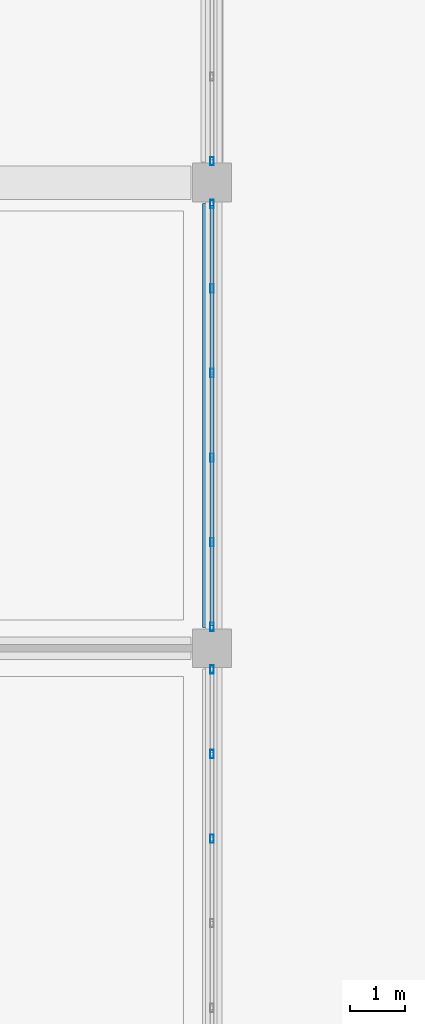
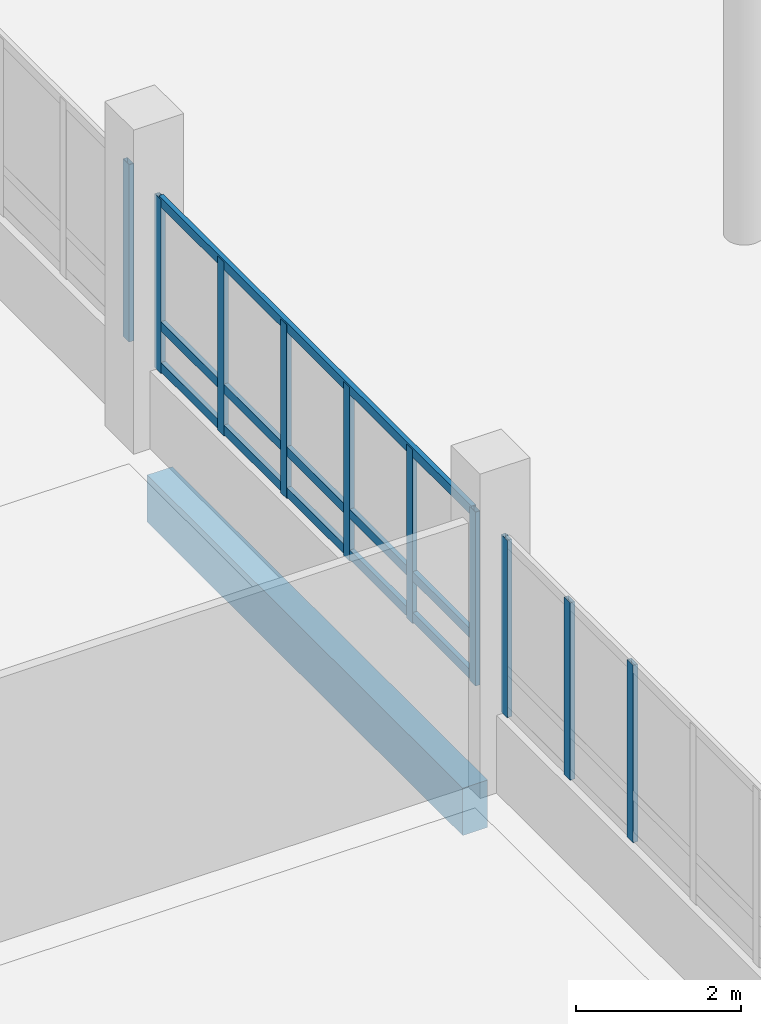
# One storey, part 31 of 95: 13 members, 1 beam, 3 elements without a shape of their own.
"""IFC4 building model written with IfcOpenShell, lengths in metres."""

from ifc_helpers import new_model, si_unit, direction, frame, origin, origin_2d, place, context, subcontext, project, spatial, rectangle, hollow_rectangle, extrude, material, layer, layer_set, material_profile, profile_set, type_object, element, aggregate, save


model = new_model("IFC4")

# Units and contexts
model_context = context("Model", 3, precision=1e-05, world=origin(), true_north=direction((0.0, 1.0)))
body_context = subcontext(model_context, "Body", "Model", "MODEL_VIEW")
ifc_project = project(units=[si_unit("LENGTHUNIT", "METRE"), si_unit("AREAUNIT", "SQUARE_METRE"), si_unit("VOLUMEUNIT", "CUBIC_METRE"), si_unit("PLANEANGLEUNIT", "RADIAN"), si_unit("MASSUNIT", "GRAM", prefix="KILO")], contexts=[model_context])

# Site, building, storey
site_placement = place(None, origin())
site = spatial("IfcSite", under=ifc_project, at=site_placement, CompositionType="ELEMENT")
building_placement = place(site_placement, origin())
building = spatial("IfcBuilding", under=site, at=building_placement, Name="Vireocrest Preparatory School", CompositionType="ELEMENT")
storey_placement = place(building_placement, origin())
storey = spatial("IfcBuildingStorey", under=building, at=storey_placement, Name="L00", CompositionType="ELEMENT", Elevation=0.0)

# Curtain wall, members
ifc_material_1 = material(Name="Thermally broken aluminium EN AW-6063-T6", Category="aluminium")
ifc_layer = layer(ifc_material_1, 0.179931640625)
ifc_layer_set = layer_set([ifc_layer], Name="Thermally broken aluminium EN AW-6063-T6")
curtain_wall_type = type_object("IfcCurtainWallType", Name="Court Banded Curtain Wall 8400x3600", PredefinedType="USERDEFINED", material=ifc_layer_set)
curtain_wall_1_placement = place(storey_placement, origin())
curtain_wall_1 = element("IfcCurtainWall", 1, at=curtain_wall_1_placement, inside=storey, type_object=curtain_wall_type, Name="Curtain Wall CW01 CW_L00_CW01_0672_0273_012", ObjectType="CURTAIN WALL", PredefinedType="USERDEFINED")
ifc_material_profile_1 = material_profile(ifc_material_1, hollow_rectangle(XDim=0.06494140625, YDim=0.14990234375, WallThickness=0.00390625, at=origin_2d()), Name="ALU 65x150x4")
ifc_profile_set_1 = profile_set([ifc_material_profile_1], Name="Thermally broken aluminium EN AW-6063-T6")
member_type_1 = type_object("IfcMemberType", Name="CW Mullion 65x150x4", PredefinedType="MULLION", material=ifc_profile_set_1)
member_1_placement = place(storey_placement, frame((67.199951171875, 31.962890625, 1.14990234375), z_axis=(0.0, 0.0, 1.0), x_axis=(1.0, 0.0, 0.0)))
member_1 = element("IfcMember", 2, at=member_1_placement, type_object=member_type_1, Name="CW Mullion ML1 CW_L00_CW01_0672_0273_012-4", PredefinedType="MULLION", context=body_context, shape_type="SweptSolid", body=[
    extrude(hollow_rectangle(XDim=0.06494140625, YDim=0.14990234375, WallThickness=0.00390625, at=origin_2d()), origin(), (0.0, 0.0, 1.0), 2.625),
])
member_2_placement = place(storey_placement, frame((67.199951171875, 33.489013671875, 1.14990234375), z_axis=(0.0, 0.0, 1.0), x_axis=(1.0, 0.0, 0.0)))
member_2 = element("IfcMember", 3, at=member_2_placement, type_object=member_type_1, Name="CW Mullion ML1 CW_L00_CW01_0672_0273_012-5", PredefinedType="MULLION", context=body_context, shape_type="SweptSolid", body=[
    extrude(hollow_rectangle(XDim=0.06494140625, YDim=0.14990234375, WallThickness=0.00390625, at=origin_2d()), origin(), (0.0, 0.0, 1.0), 2.625),
])
member_3_placement = place(storey_placement, frame((67.199951171875, 35.014892578125, 1.14990234375), z_axis=(0.0, 0.0, 1.0), x_axis=(1.0, 0.0, 0.0)))
member_3 = element("IfcMember", 4, at=member_3_placement, type_object=member_type_1, Name="CW Mullion ML1 CW_L00_CW01_0672_0273_012-6", PredefinedType="MULLION", context=body_context, shape_type="SweptSolid", body=[
    extrude(hollow_rectangle(XDim=0.06494140625, YDim=0.14990234375, WallThickness=0.00390625, at=origin_2d()), origin(), (0.0, 0.0, 1.0), 2.625),
])
aggregate(curtain_wall_1, [member_1, member_2, member_3])

curtain_wall_2_placement = place(storey_placement, origin())
curtain_wall_2 = element("IfcCurtainWall", 5, at=curtain_wall_2_placement, inside=storey, type_object=curtain_wall_type, Name="Curtain Wall CW01 CW_L00_CW01_0672_0357_012", ObjectType="CURTAIN WALL", PredefinedType="USERDEFINED")
member_4_placement = place(storey_placement, frame((67.199951171875, 35.784912109375, 1.14990234375), z_axis=(0.0, 0.0, 1.0), x_axis=(1.0, 0.0, 0.0)))
member_4 = element("IfcMember", 6, at=member_4_placement, type_object=member_type_1, Name="CW Mullion ML1 CW_L00_CW01_0672_0357_012-1", PredefinedType="MULLION", context=body_context, shape_type="SweptSolid", body=[
    extrude(hollow_rectangle(XDim=0.06494140625, YDim=0.14990234375, WallThickness=0.00390625, at=origin_2d()), origin(), (0.0, 0.0, 1.0), 2.5751953125),
])
member_5_placement = place(storey_placement, frame((67.199951171875, 37.31103515625, 1.14990234375), z_axis=(0.0, 0.0, 1.0), x_axis=(1.0, 0.0, 0.0)))
member_5 = element("IfcMember", 7, at=member_5_placement, type_object=member_type_1, Name="CW Mullion ML1 CW_L00_CW01_0672_0357_012-2", PredefinedType="MULLION", context=body_context, shape_type="SweptSolid", body=[
    extrude(hollow_rectangle(XDim=0.06494140625, YDim=0.14990234375, WallThickness=0.00390625, at=origin_2d()), origin(), (0.0, 0.0, 1.0), 2.5751953125),
])
member_6_placement = place(storey_placement, frame((67.199951171875, 38.8369140625, 1.14990234375), z_axis=(0.0, 0.0, 1.0), x_axis=(1.0, 0.0, 0.0)))
member_6 = element("IfcMember", 8, at=member_6_placement, type_object=member_type_1, Name="CW Mullion ML1 CW_L00_CW01_0672_0357_012-3", PredefinedType="MULLION", context=body_context, shape_type="SweptSolid", body=[
    extrude(hollow_rectangle(XDim=0.06494140625, YDim=0.14990234375, WallThickness=0.00390625, at=origin_2d()), origin(), (0.0, 0.0, 1.0), 2.5751953125),
])
member_7_placement = place(storey_placement, frame((67.199951171875, 40.363037109375, 1.14990234375), z_axis=(0.0, 0.0, 1.0), x_axis=(1.0, 0.0, 0.0)))
member_7 = element("IfcMember", 9, at=member_7_placement, type_object=member_type_1, Name="CW Mullion ML1 CW_L00_CW01_0672_0357_012-4", PredefinedType="MULLION", context=body_context, shape_type="SweptSolid", body=[
    extrude(hollow_rectangle(XDim=0.06494140625, YDim=0.14990234375, WallThickness=0.00390625, at=origin_2d()), origin(), (0.0, 0.0, 1.0), 2.5751953125),
])
member_8_placement = place(storey_placement, frame((67.199951171875, 41.888916015625, 1.14990234375), z_axis=(0.0, 0.0, 1.0), x_axis=(1.0, 0.0, 0.0)))
member_8 = element("IfcMember", 10, at=member_8_placement, type_object=member_type_1, Name="CW Mullion ML1 CW_L00_CW01_0672_0357_012-5", PredefinedType="MULLION", context=body_context, shape_type="SweptSolid", body=[
    extrude(hollow_rectangle(XDim=0.06494140625, YDim=0.14990234375, WallThickness=0.00390625, at=origin_2d()), origin(), (0.0, 0.0, 1.0), 2.5751953125),
])
member_9_placement = place(storey_placement, frame((67.199951171875, 43.4150390625, 1.14990234375), z_axis=(0.0, 0.0, 1.0), x_axis=(1.0, 0.0, 0.0)))
member_9 = element("IfcMember", 11, at=member_9_placement, type_object=member_type_1, Name="CW Mullion ML1 CW_L00_CW01_0672_0357_012-6", PredefinedType="MULLION", context=body_context, shape_type="SweptSolid", body=[
    extrude(hollow_rectangle(XDim=0.06494140625, YDim=0.14990234375, WallThickness=0.00390625, at=origin_2d()), origin(), (0.0, 0.0, 1.0), 2.5751953125),
])

# Curtain wall, member
curtain_wall_3_placement = place(storey_placement, origin())
curtain_wall_3 = element("IfcCurtainWall", 12, at=curtain_wall_3_placement, inside=storey, type_object=curtain_wall_type, Name="Curtain Wall CW01 CW_L00_CW01_0672_0441_012", ObjectType="CURTAIN WALL", PredefinedType="USERDEFINED")
member_10_placement = place(storey_placement, frame((67.199951171875, 44.18505859375, 1.14990234375), z_axis=(0.0, 0.0, 1.0), x_axis=(1.0, 0.0, 0.0)))
member_10 = element("IfcMember", 13, at=member_10_placement, type_object=member_type_1, Name="CW Mullion ML1 CW_L00_CW01_0672_0441_012-1", PredefinedType="MULLION", context=body_context, shape_type="SweptSolid", body=[
    extrude(hollow_rectangle(XDim=0.06494140625, YDim=0.14990234375, WallThickness=0.00390625, at=origin_2d()), origin(), (0.0, 0.0, 1.0), 2.625),
])
aggregate(curtain_wall_3, [member_10])

# Member
ifc_material_profile_2 = material_profile(ifc_material_1, hollow_rectangle(XDim=0.06494140625, YDim=0.139892578125, WallThickness=0.00390625, at=origin_2d()), Name="ALU 65x140x4")
ifc_profile_set_2 = profile_set([ifc_material_profile_2], Name="Thermally broken aluminium EN AW-6063-T6")
member_type_2 = type_object("IfcMemberType", Name="CW Transom 65x140x4", PredefinedType="USERDEFINED", material=ifc_profile_set_2)
member_11_placement = place(storey_placement, frame((67.199951171875, 35.81005859375, 1.2451171875), z_axis=(0.0, 1.0, 0.0), x_axis=(-1.0, 0.0, 0.0)))
member_11 = element("IfcMember", 14, at=member_11_placement, type_object=member_type_2, Name="CW Transom TR1 CW_L00_CW01_0672_0357_012-1", ObjectType="TRANSOM", PredefinedType="USERDEFINED", context=body_context, shape_type="SweptSolid", body=[
    extrude(hollow_rectangle(XDim=0.06494140625, YDim=0.139892578125, WallThickness=0.00390625, at=origin_2d()), origin(), (0.0, 0.0, 1.0), 7.579833984375),
])

member_12_placement = place(storey_placement, frame((67.199951171875, 35.81005859375, 1.85009765625), z_axis=(0.0, 1.0, 0.0), x_axis=(-1.0, 0.0, 0.0)))
member_12 = element("IfcMember", 15, at=member_12_placement, type_object=member_type_2, Name="CW Transom TR1 CW_L00_CW01_0672_0357_012-2", ObjectType="TRANSOM", PredefinedType="USERDEFINED", context=body_context, shape_type="SweptSolid", body=[
    extrude(hollow_rectangle(XDim=0.06494140625, YDim=0.139892578125, WallThickness=0.00390625, at=origin_2d()), origin(), (0.0, 0.0, 1.0), 7.579833984375),
])

member_13_placement = place(storey_placement, frame((67.199951171875, 35.81005859375, 3.68505859375), z_axis=(0.0, 1.0, 0.0), x_axis=(-1.0, 0.0, 0.0)))
member_13 = element("IfcMember", 16, at=member_13_placement, type_object=member_type_2, Name="CW Transom TR1 CW_L00_CW01_0672_0357_012-3", ObjectType="TRANSOM", PredefinedType="USERDEFINED", context=body_context, shape_type="SweptSolid", body=[
    extrude(hollow_rectangle(XDim=0.06494140625, YDim=0.139892578125, WallThickness=0.00390625, at=origin_2d()), origin(), (0.0, 0.0, 1.0), 7.579833984375),
])

aggregate(curtain_wall_2, [member_4, member_5, member_6, member_7, member_8, member_9, member_11, member_12, member_13])

# Beam
ifc_material_2 = material(Name="Concrete 40 MPa", Category="concrete")
ifc_material_profile_3 = material_profile(ifc_material_2, rectangle(XDim=0.35009765625, YDim=0.699951171875, at=origin_2d()), Name="RC 350x700")
ifc_profile_set_3 = profile_set([ifc_material_profile_3], Name="Concrete 40 MPa")
beam_type = type_object("IfcBeamType", Name="RC Laboratory Girder 350x700", PredefinedType="BEAM", material=ifc_profile_set_3)
beam_placement = place(storey_placement, frame((67.199951171875, 35.77490234375, -0.699951171875), z_axis=(0.0, 1.0, 0.0), x_axis=(-1.0, 0.0, 0.0)))
element("IfcBeam", 17, at=beam_placement, inside=storey, type_object=beam_type, Name="Primary Girder B06 L00-0179", PredefinedType="BEAM", context=body_context, shape_type="SweptSolid", body=[
    extrude(rectangle(XDim=0.35009765625, YDim=0.699951171875, at=origin_2d()), origin(), (0.0, 0.0, 1.0), 7.650146484375),
])

save(model, "model.ifc")
